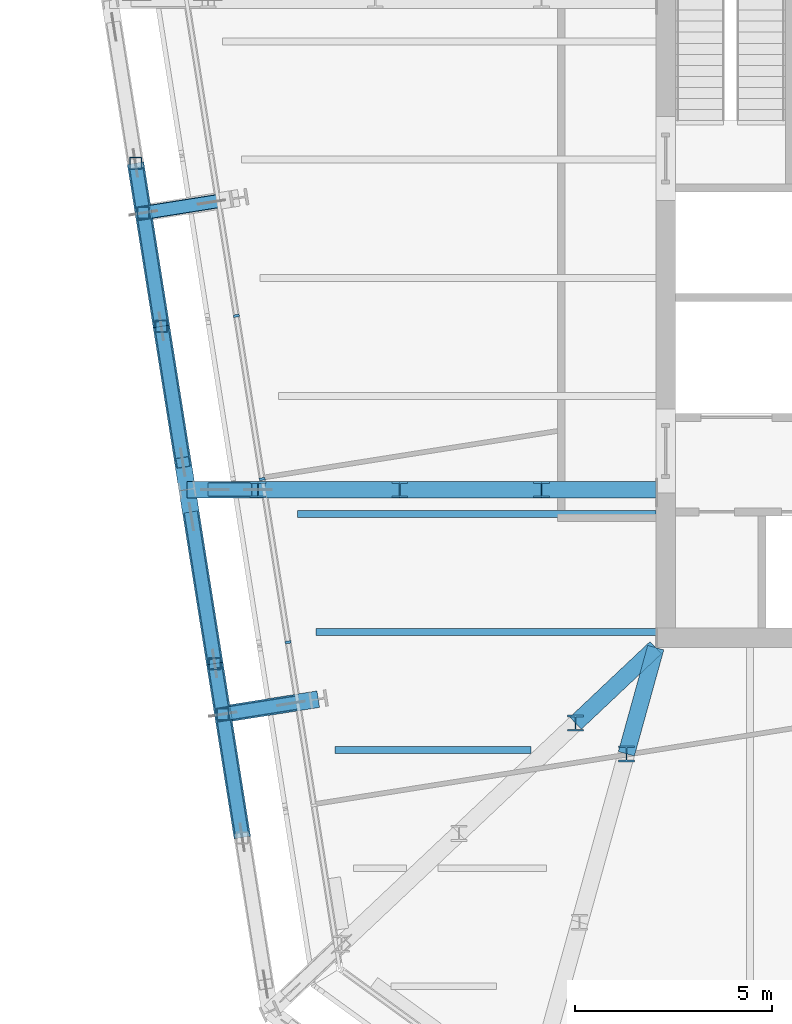
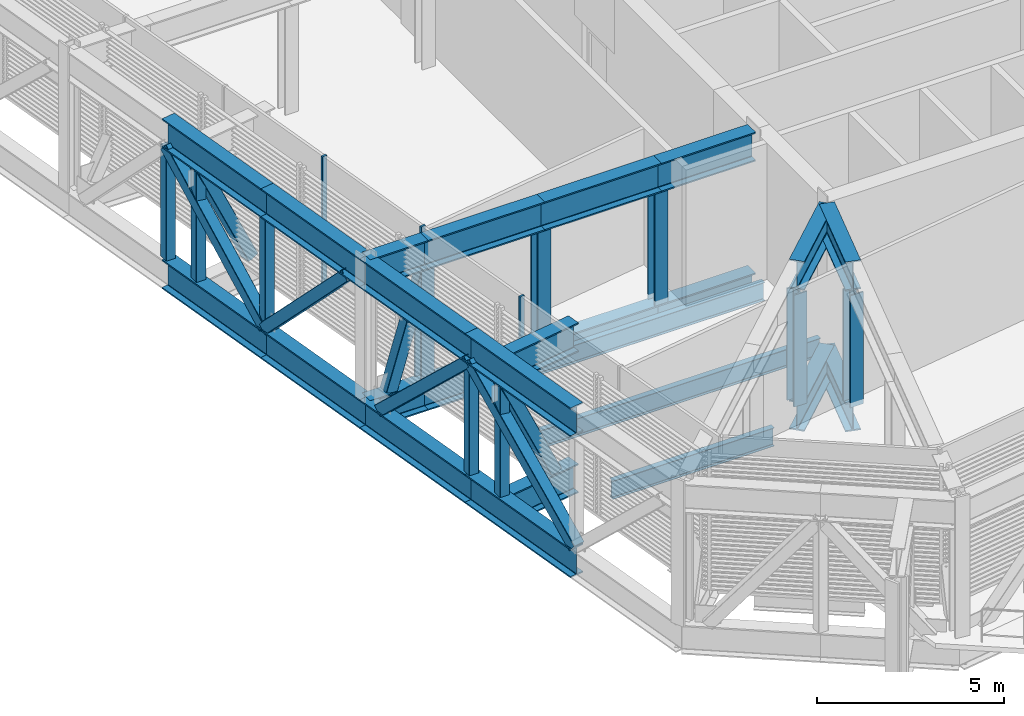
# One storey, part 5 of 35: 25 beams, 20 members, 1 element without a shape of its own.
"""IFC4 building model written with IfcOpenShell, lengths in metres."""

from ifc_helpers import new_model, si_unit, direction, frame, origin, origin_2d, place, context, subcontext, project, spatial, rectangle, hollow_rectangle, i_section, extrude, material, layer, layer_set, material_profile, profile_set, type_object, element, aggregate, save


model = new_model("IFC4")

# Units and contexts
model_context = context("Model", 3, precision=1e-05, world=origin(), true_north=direction((0.0, 1.0)))
body_context = subcontext(model_context, "Body", "Model", "MODEL_VIEW")
ifc_project = project(units=[si_unit("LENGTHUNIT", "METRE"), si_unit("AREAUNIT", "SQUARE_METRE"), si_unit("VOLUMEUNIT", "CUBIC_METRE"), si_unit("PLANEANGLEUNIT", "RADIAN"), si_unit("MASSUNIT", "GRAM", prefix="KILO")], contexts=[model_context])

# Site, building, storey
site_placement = place(None, origin())
site = spatial("IfcSite", under=ifc_project, at=site_placement, CompositionType="ELEMENT")
building_placement = place(site_placement, origin())
building = spatial("IfcBuilding", under=site, at=building_placement, Name="Millrace Tower", CompositionType="ELEMENT")
storey_placement = place(building_placement, frame((0.0, 0.0, 200.10009765625)))
storey = spatial("IfcBuildingStorey", under=building, at=storey_placement, Name="L45", CompositionType="ELEMENT", Elevation=200.10009765625)

# Curtain wall, members
ifc_material_1 = material(Name="Aluminium and glass", Category="aluminium")
ifc_layer = layer(ifc_material_1, 0.14990234375)
ifc_layer_set = layer_set([ifc_layer], Name="Aluminium and glass")
curtain_wall_type = type_object("IfcCurtainWallType", Name="CW-5 truss and plant storey louvred infill", PredefinedType="NOTDEFINED", material=ifc_layer_set)
curtain_wall_placement = place(storey_placement, origin())
curtain_wall = element("IfcCurtainWall", 1, at=curtain_wall_placement, inside=storey, type_object=curtain_wall_type, Name="Curtain wall D-F08 L45", PredefinedType="NOTDEFINED")
ifc_material_2 = material(Name="Aluminium", Category="aluminium")
ifc_material_profile_1 = material_profile(ifc_material_2, rectangle(XDim=0.06494140625, YDim=0.14990234375, at=origin_2d()))
ifc_profile_set_1 = profile_set([ifc_material_profile_1], Name="Aluminium")
member_type_1 = type_object("IfcMemberType", Name="CW-5 truss and plant storey louvred infill mullion", PredefinedType="MULLION", material=ifc_profile_set_1)
member_1_placement = place(storey_placement, frame((-25.057373046875, -0.966064453125, 0.139892578125), z_axis=(0.0, 0.0, 1.0), x_axis=(0.156434471884, -0.987688339511, 0.0)))
member_1 = element("IfcMember", 2, at=member_1_placement, type_object=member_type_1, Name="CW5 mullion D-F08.6", PredefinedType="MULLION", context=body_context, shape_type="SweptSolid", body=[
    extrude(rectangle(XDim=0.06494140625, YDim=0.14990234375, at=origin_2d()), origin(), (0.0, 0.0, 1.0), 4.4599609375),
])
member_2_placement = place(storey_placement, frame((-24.400390625, -5.1142578125, 0.139892578125), z_axis=(0.0, 0.0, 1.0), x_axis=(0.156434471884, -0.987688339511, 0.0)))
member_2 = element("IfcMember", 3, at=member_2_placement, type_object=member_type_1, Name="CW5 mullion D-F08.7", PredefinedType="MULLION", context=body_context, shape_type="SweptSolid", body=[
    extrude(rectangle(XDim=0.06494140625, YDim=0.14990234375, at=origin_2d()), origin(), (0.0, 0.0, 1.0), 4.4599609375),
])
member_3_placement = place(storey_placement, frame((-23.7431640625, -9.262451171875, 0.139892578125), z_axis=(0.0, 0.0, 1.0), x_axis=(0.156434471884, -0.987688339511, 0.0)))
member_3 = element("IfcMember", 4, at=member_3_placement, type_object=member_type_1, Name="CW5 mullion D-F08.8", PredefinedType="MULLION", context=body_context, shape_type="SweptSolid", body=[
    extrude(rectangle(XDim=0.06494140625, YDim=0.14990234375, at=origin_2d()), origin(), (0.0, 0.0, 1.0), 4.4599609375),
])
aggregate(curtain_wall, [member_1, member_2, member_3])

# Beams
ifc_material_3 = material(Name="Steel ASTM A992 Grade 50", Category="steel")
ifc_material_profile_2 = material_profile(ifc_material_3, i_section(OverallWidth=0.177978515625, OverallDepth=0.599365234375, WebThickness=0.010009765625, FlangeThickness=0.012939453125, FilletRadius=0.012939453125, at=origin_2d()))
ifc_profile_set_2 = profile_set([ifc_material_profile_2], Name="Steel ASTM A992 Grade 50")
beam_type_1 = type_object("IfcBeamType", Name="Floor beam W24x55", PredefinedType="JOIST", material=ifc_profile_set_2)
beam_1_placement = place(storey_placement, frame((-23.507080078125, -6.0, -0.459716796875), z_axis=(1.0, 0.0, 0.0), x_axis=(0.0, 1.0, 0.0)))
element("IfcBeam", 5, at=beam_1_placement, inside=storey, type_object=beam_type_1, Name="BM-D-L45-S1-S009", PredefinedType="JOIST", context=body_context, shape_type="SweptSolid", body=[
    extrude(i_section(OverallWidth=0.177978515625, OverallDepth=0.599365234375, WebThickness=0.010009765625, FlangeThickness=0.012939453125, FilletRadius=0.012939453125, at=origin_2d()), origin(), (0.0, 0.0, 1.0), 9.107177734375),
])
beam_2_placement = place(storey_placement, frame((-23.03173828125, -9.0, -0.459716796875), z_axis=(1.0, 0.0, 0.0), x_axis=(0.0, 1.0, 0.0)))
element("IfcBeam", 6, at=beam_2_placement, inside=storey, type_object=beam_type_1, Name="BM-D-L45-S1-S006", PredefinedType="JOIST", context=body_context, shape_type="SweptSolid", body=[
    extrude(i_section(OverallWidth=0.177978515625, OverallDepth=0.599365234375, WebThickness=0.010009765625, FlangeThickness=0.012939453125, FilletRadius=0.012939453125, at=origin_2d()), origin(), (0.0, 0.0, 1.0), 8.6318359375),
])
beam_3_placement = place(storey_placement, frame((-22.556640625, -12.0, -0.459716796875), z_axis=(1.0, 0.0, 0.0), x_axis=(0.0, 1.0, 0.0)))
element("IfcBeam", 7, at=beam_3_placement, inside=storey, type_object=beam_type_1, Name="BM-D-L45-S1-S004", PredefinedType="JOIST", context=body_context, shape_type="SweptSolid", body=[
    extrude(i_section(OverallWidth=0.177978515625, OverallDepth=0.599365234375, WebThickness=0.010009765625, FlangeThickness=0.012939453125, FilletRadius=0.012939453125, at=origin_2d()), origin(), (0.0, 0.0, 1.0), 4.992431640625),
])

# Members
ifc_material_4 = material(Name="Steel ASTM A992 Grade 50", Category="steel")
ifc_material_profile_3 = material_profile(ifc_material_4, i_section(OverallWidth=0.40380859375, OverallDepth=0.406494140625, WebThickness=0.027099609375, FlangeThickness=0.043701171875, FilletRadius=0.01513671875, at=origin_2d()))
ifc_profile_set_3 = profile_set([ifc_material_profile_3], Name="Steel ASTM A992 Grade 50")
member_type_2 = type_object("IfcMemberType", Name="Transfer truss Vierendeel moment post W14x233", PredefinedType="POST", material=ifc_profile_set_3)
for number, where, z_axis, x_axis, name in (
    (8, (-16.437255859375, -11.321044921875, -0.16015625), (0.0, 0.0, 1.0), (1.0, 0.0, 0.0), "TRS-L45-C01-V03"),
    (9, (-15.1474609375, -12.098388671875, -0.16015625), (0.0, 0.0, 1.0), (1.0, 0.0, 0.0), "TRS-L45-C02-V03"),
    (10, (-24.506591796875, -5.38330078125, -0.16015625), (0.0, 0.0, 1.0), (1.0, 0.0, 0.0), "TRS-L45-C16-V01"),
    (11, (-20.90673828125, -5.38330078125, -0.16015625), (0.0, 0.0, 1.0), (1.0, 0.0, 0.0), "TRS-L45-C16-V02"),
    (12, (-17.300048828125, -5.38330078125, -0.16015625), (0.0, 0.0, 1.0), (1.0, 0.0, 0.0), "TRS-L45-C16-V03"),
):
    element("IfcMember", number, at=place(storey_placement, frame(where, z_axis=z_axis, x_axis=x_axis)), inside=storey, type_object=member_type_2, Name=name, PredefinedType="POST", context=body_context, shape_type="SweptSolid", body=[
        extrude(i_section(OverallWidth=0.40380859375, OverallDepth=0.406494140625, WebThickness=0.027099609375, FlangeThickness=0.043701171875, FilletRadius=0.01513671875, at=origin_2d()), origin(), (0.0, 0.0, 1.0), 3.652587890625),
    ])

# Beams
ifc_material_5 = material(Name="Steel ASTM A992 Grade 50", Category="steel")
ifc_material_profile_4 = material_profile(ifc_material_5, i_section(OverallWidth=0.424072265625, OverallDepth=0.947509765625, WebThickness=0.02392578125, FlangeThickness=0.042724609375, FilletRadius=0.024169921875, at=origin_2d()))
ifc_profile_set_4 = profile_set([ifc_material_profile_4], Name="Steel ASTM A992 Grade 50")
beam_type_2 = type_object("IfcBeamType", Name="Transfer truss chord W36x302", PredefinedType="BEAM", material=ifc_profile_set_4)
for number, where, z_axis, x_axis, name in (
    (13, (-27.62060546875, 2.913330078125, -0.6337890625), (0.156419245009, -0.987690751091, 0.0), (0.987690751091, 0.156419245009, 0.0), "TRS-L45-R15-B02"),
    (14, (-27.62060546875, 2.913330078125, 3.96630859375), (0.156419245009, -0.987690751091, 0.0), (0.987690751091, 0.156419245009, 0.0), "TRS-L45-R15-T02"),
):
    element("IfcBeam", number, at=place(storey_placement, frame(where, z_axis=z_axis, x_axis=x_axis)), inside=storey, type_object=beam_type_2, Name=name, PredefinedType="BEAM", context=body_context, shape_type="SweptSolid", body=[
        extrude(i_section(OverallWidth=0.424072265625, OverallDepth=0.947509765625, WebThickness=0.02392578125, FlangeThickness=0.042724609375, FilletRadius=0.024169921875, at=origin_2d()), origin(), (0.0, 0.0, 1.0), 4.2001953125),
    ])
for number, where, z_axis, x_axis, name in (
    (15, (-26.963623046875, -1.235107421875, -0.6337890625), (0.156428225752, -0.987689328781, 0.0), (0.987689328781, 0.156428225752, 0.0), "TRS-L45-R15-B03"),
    (16, (-26.963623046875, -1.235107421875, 3.96630859375), (0.156428225752, -0.987689328781, 0.0), (0.987689328781, 0.156428225752, 0.0), "TRS-L45-R15-T03"),
):
    element("IfcBeam", number, at=place(storey_placement, frame(where, z_axis=z_axis, x_axis=x_axis)), inside=storey, type_object=beam_type_2, Name=name, PredefinedType="BEAM", context=body_context, shape_type="SweptSolid", body=[
        extrude(i_section(OverallWidth=0.424072265625, OverallDepth=0.947509765625, WebThickness=0.02392578125, FlangeThickness=0.042724609375, FilletRadius=0.024169921875, at=origin_2d()), origin(), (0.0, 0.0, 1.0), 4.199951171875),
    ])
for number, where, z_axis, x_axis, name in (
    (17, (-26.306640625, -5.38330078125, -0.6337890625), (0.156424684061, -0.9876898897, 0.0), (0.9876898897, 0.156424684061, 0.0), "TRS-L45-R16-B01"),
    (18, (-26.306640625, -5.38330078125, 3.96630859375), (0.156424684061, -0.9876898897, 0.0), (0.9876898897, 0.156424684061, 0.0), "TRS-L45-R16-T01"),
):
    element("IfcBeam", number, at=place(storey_placement, frame(where, z_axis=z_axis, x_axis=x_axis)), inside=storey, type_object=beam_type_2, Name=name, PredefinedType="BEAM", context=body_context, shape_type="SweptSolid", body=[
        extrude(i_section(OverallWidth=0.424072265625, OverallDepth=0.947509765625, WebThickness=0.02392578125, FlangeThickness=0.042724609375, FilletRadius=0.024169921875, at=origin_2d()), origin(), (0.0, 0.0, 1.0), 4.476318359375),
    ])
for number, where, z_axis, x_axis, name in (
    (19, (-25.6064453125, -9.804443359375, -0.6337890625), (0.156433111103, -0.987688555037, 0.0), (0.987688555037, 0.156433111103, 0.0), "TRS-L45-R16-B02"),
    (20, (-25.6064453125, -9.804443359375, 3.96630859375), (0.156433111103, -0.987688555037, 0.0), (0.987688555037, 0.156433111103, 0.0), "TRS-L45-R16-T02"),
):
    element("IfcBeam", number, at=place(storey_placement, frame(where, z_axis=z_axis, x_axis=x_axis)), inside=storey, type_object=beam_type_2, Name=name, PredefinedType="BEAM", context=body_context, shape_type="SweptSolid", body=[
        extrude(i_section(OverallWidth=0.424072265625, OverallDepth=0.947509765625, WebThickness=0.02392578125, FlangeThickness=0.042724609375, FilletRadius=0.024169921875, at=origin_2d()), origin(), (0.0, 0.0, 1.0), 4.47607421875),
    ])
for number, where, z_axis, x_axis, name in (
    (21, (-16.437255859375, -11.321044921875, -0.6337890625), (0.727552105044, 0.686052428351, 0.0), (-0.686052428351, 0.727552105044, 0.0), "TRS-L45-C01-B04"),
    (22, (-16.437255859375, -11.321044921875, 3.96630859375), (0.727552105044, 0.686052428351, 0.0), (-0.686052428351, 0.727552105044, 0.0), "TRS-L45-C01-T04"),
):
    element("IfcBeam", number, at=place(storey_placement, frame(where, z_axis=z_axis, x_axis=x_axis)), inside=storey, type_object=beam_type_2, Name=name, PredefinedType="BEAM", context=body_context, shape_type="SweptSolid", body=[
        extrude(i_section(OverallWidth=0.424072265625, OverallDepth=0.947509765625, WebThickness=0.02392578125, FlangeThickness=0.042724609375, FilletRadius=0.024169921875, at=origin_2d()), origin(), (0.0, 0.0, 1.0), 2.80029296875),
    ])
for number, where, z_axis, x_axis, name in (
    (23, (-15.1474609375, -12.098388671875, -0.6337890625), (0.266973765217, 0.963703797173, 0.0), (-0.963703797173, 0.266973765217, 0.0), "TRS-L45-C02-B04"),
    (24, (-15.1474609375, -12.098388671875, 3.96630859375), (0.266973765217, 0.963703797173, 0.0), (-0.963703797173, 0.266973765217, 0.0), "TRS-L45-C02-T04"),
):
    element("IfcBeam", number, at=place(storey_placement, frame(where, z_axis=z_axis, x_axis=x_axis)), inside=storey, type_object=beam_type_2, Name=name, PredefinedType="BEAM", context=body_context, shape_type="SweptSolid", body=[
        extrude(i_section(OverallWidth=0.424072265625, OverallDepth=0.947509765625, WebThickness=0.02392578125, FlangeThickness=0.042724609375, FilletRadius=0.024169921875, at=origin_2d()), origin(), (0.0, 0.0, 1.0), 2.800048828125),
    ])
for number, where, z_axis, x_axis, name in (
    (25, (-26.306640625, -5.38330078125, -0.6337890625), (1.0, 0.0, 0.0), (0.0, 1.0, 0.0), "TRS-L45-C16-B01"),
    (26, (-26.306640625, -5.38330078125, 3.96630859375), (1.0, 0.0, 0.0), (0.0, 1.0, 0.0), "TRS-L45-C16-T01"),
):
    element("IfcBeam", number, at=place(storey_placement, frame(where, z_axis=z_axis, x_axis=x_axis)), inside=storey, type_object=beam_type_2, Name=name, PredefinedType="BEAM", context=body_context, shape_type="SweptSolid", body=[
        extrude(i_section(OverallWidth=0.424072265625, OverallDepth=0.947509765625, WebThickness=0.02392578125, FlangeThickness=0.042724609375, FilletRadius=0.024169921875, at=origin_2d()), origin(), (0.0, 0.0, 1.0), 1.800048828125),
    ])
for number, where, z_axis, x_axis, name in (
    (27, (-24.506591796875, -5.38330078125, -0.6337890625), (1.0, 0.0, 0.0), (0.0, 1.0, 0.0), "TRS-L45-C16-B02"),
    (28, (-24.506591796875, -5.38330078125, 3.96630859375), (1.0, 0.0, 0.0), (0.0, 1.0, 0.0), "TRS-L45-C16-T02"),
):
    element("IfcBeam", number, at=place(storey_placement, frame(where, z_axis=z_axis, x_axis=x_axis)), inside=storey, type_object=beam_type_2, Name=name, PredefinedType="BEAM", context=body_context, shape_type="SweptSolid", body=[
        extrude(i_section(OverallWidth=0.424072265625, OverallDepth=0.947509765625, WebThickness=0.02392578125, FlangeThickness=0.042724609375, FilletRadius=0.024169921875, at=origin_2d()), origin(), (0.0, 0.0, 1.0), 3.599853515625),
    ])
for number, where, z_axis, x_axis, name in (
    (29, (-20.90673828125, -5.38330078125, -0.6337890625), (1.0, 0.0, 0.0), (0.0, 1.0, 0.0), "TRS-L45-C16-B03"),
    (30, (-20.90673828125, -5.38330078125, 3.96630859375), (1.0, 0.0, 0.0), (0.0, 1.0, 0.0), "TRS-L45-C16-T03"),
):
    element("IfcBeam", number, at=place(storey_placement, frame(where, z_axis=z_axis, x_axis=x_axis)), inside=storey, type_object=beam_type_2, Name=name, PredefinedType="BEAM", context=body_context, shape_type="SweptSolid", body=[
        extrude(i_section(OverallWidth=0.424072265625, OverallDepth=0.947509765625, WebThickness=0.02392578125, FlangeThickness=0.042724609375, FilletRadius=0.024169921875, at=origin_2d()), origin(), (0.0, 0.0, 1.0), 3.606689453125),
    ])
for number, where, z_axis, x_axis, name in (
    (31, (-17.300048828125, -5.38330078125, -0.6337890625), (1.0, 0.0, 0.0), (0.0, 1.0, 0.0), "TRS-L45-C16-B04"),
    (32, (-17.300048828125, -5.38330078125, 3.96630859375), (1.0, 0.0, 0.0), (0.0, 1.0, 0.0), "TRS-L45-C16-T04"),
):
    element("IfcBeam", number, at=place(storey_placement, frame(where, z_axis=z_axis, x_axis=x_axis)), inside=storey, type_object=beam_type_2, Name=name, PredefinedType="BEAM", context=body_context, shape_type="SweptSolid", body=[
        extrude(i_section(OverallWidth=0.424072265625, OverallDepth=0.947509765625, WebThickness=0.02392578125, FlangeThickness=0.042724609375, FilletRadius=0.024169921875, at=origin_2d()), origin(), (0.0, 0.0, 1.0), 2.900146484375),
    ])
for number, where, z_axis, x_axis, name in (
    (33, (-22.97705078125, -10.709716796875, -0.6337890625), (-0.987694037204, -0.156398493825, 0.0), (0.156398493825, -0.987694037204, 0.0), "TRS-L45-B-C-X16-B01"),
    (34, (-22.97705078125, -10.709716796875, 3.96630859375), (-0.987694037204, -0.156398493825, 0.0), (0.156398493825, -0.987694037204, 0.0), "TRS-L45-B-C-X16-T01"),
):
    element("IfcBeam", number, at=place(storey_placement, frame(where, z_axis=z_axis, x_axis=x_axis)), inside=storey, type_object=beam_type_2, Name=name, PredefinedType="BEAM", context=body_context, shape_type="SweptSolid", body=[
        extrude(i_section(OverallWidth=0.424072265625, OverallDepth=0.947509765625, WebThickness=0.02392578125, FlangeThickness=0.042724609375, FilletRadius=0.024169921875, at=origin_2d()), origin(), (0.0, 0.0, 1.0), 2.2431640625),
    ])

# Members
ifc_material_6 = material(Name="Steel ASTM A500 Grade C", Category="steel")
ifc_material_profile_5 = material_profile(ifc_material_6, hollow_rectangle(XDim=0.355712890625, YDim=0.355712890625, WallThickness=0.015869140625, InnerFilletRadius=0.008056640625, OuterFilletRadius=0.02392578125, at=origin_2d()))
ifc_profile_set_5 = profile_set([ifc_material_profile_5], Name="Steel ASTM A500 Grade C")
member_type_3 = type_object("IfcMemberType", Name="Transfer truss diagonal HSS14x14x5/8", PredefinedType="BRACE", material=ifc_profile_set_5)
member_4_placement = place(storey_placement, frame((-26.963623046875, -1.235107421875, -0.16015625), z_axis=(-0.118030735894, 0.745291068123, 0.656208784733), x_axis=(-0.987690751091, -0.156419245009, 0.0)))
element("IfcMember", 35, at=member_4_placement, inside=storey, type_object=member_type_3, Name="TRS-L45-R15-D02", PredefinedType="BRACE", context=body_context, shape_type="SweptSolid", body=[
    extrude(hollow_rectangle(XDim=0.355712890625, YDim=0.355712890625, WallThickness=0.015869140625, InnerFilletRadius=0.008056640625, OuterFilletRadius=0.02392578125, at=origin_2d()), origin(), (0.0, 0.0, 1.0), 5.566162109375),
])
member_5_placement = place(storey_placement, frame((-26.963623046875, -1.235107421875, -0.16015625), z_axis=(0.108202495228, -0.683335918793, 0.72204171771), x_axis=(0.987694432607, 0.156395996744, 0.0)))
element("IfcMember", 36, at=member_5_placement, inside=storey, type_object=member_type_3, Name="TRS-L45-R15-D03", PredefinedType="BRACE", context=body_context, shape_type="SweptSolid", body=[
    extrude(hollow_rectangle(XDim=0.355712890625, YDim=0.355712890625, WallThickness=0.015869140625, InnerFilletRadius=0.008056640625, OuterFilletRadius=0.02392578125, at=origin_2d()), origin(), (0.0, 0.0, 1.0), 5.05859375),
])
member_6_placement = place(storey_placement, frame((-26.197265625, -6.07470703125, -0.16015625), z_axis=(0.112457872298, -0.70992517153, 0.695240589858), x_axis=(0.987684735163, 0.156457227145, 0.0)))
element("IfcMember", 37, at=member_6_placement, inside=storey, type_object=member_type_3, Name="TRS-L45-R16-D01", PredefinedType="BRACE", context=body_context, shape_type="SweptSolid", body=[
    extrude(hollow_rectangle(XDim=0.355712890625, YDim=0.355712890625, WallThickness=0.015869140625, InnerFilletRadius=0.008056640625, OuterFilletRadius=0.02392578125, at=origin_2d()), origin(), (0.0, 0.0, 1.0), 5.253662109375),
])
member_7_placement = place(storey_placement, frame((-24.90625, -14.225341796875, -0.16015625), z_axis=(-0.121199815738, 0.765232309408, 0.632242135026), x_axis=(-0.987688555037, -0.156433111103, 0.0)))
element("IfcMember", 38, at=member_7_placement, inside=storey, type_object=member_type_3, Name="TRS-L45-R16-D02", PredefinedType="BRACE", context=body_context, shape_type="SweptSolid", body=[
    extrude(hollow_rectangle(XDim=0.355712890625, YDim=0.355712890625, WallThickness=0.015869140625, InnerFilletRadius=0.008056640625, OuterFilletRadius=0.02392578125, at=origin_2d()), origin(), (0.0, 0.0, 1.0), 5.777099609375),
])
member_8_placement = place(storey_placement, frame((-25.606689453125, -5.38330078125, -0.16015625), z_axis=(0.28838699326, 0.0, 0.957513938342), x_axis=(0.0, 1.0, 0.0)))
element("IfcMember", 39, at=member_8_placement, inside=storey, type_object=member_type_3, Name="TRS-L45-C16-D01", PredefinedType="BRACE", context=body_context, shape_type="SweptSolid", body=[
    extrude(hollow_rectangle(XDim=0.355712890625, YDim=0.355712890625, WallThickness=0.015869140625, InnerFilletRadius=0.008056640625, OuterFilletRadius=0.02392578125, at=origin_2d()), origin(), (0.0, 0.0, 1.0), 3.814697265625),
])
for number, where, z_axis, x_axis, name in (
    (40, (-25.6865234375, 1.922119140625, -0.16015625), (-0.427801089373, -0.067775837987, 0.901328277442), (0.156476811261, -0.987681632682, 0.0), "TRS-L45-B-C-X15-D01"),
    (41, (-23.66845703125, -10.819091796875, -0.16015625), (-0.427801089373, -0.067775837987, 0.901328277442), (0.156476811261, -0.987681632682, 0.0), "TRS-L45-B-C-X16-D01"),
):
    element("IfcMember", number, at=place(storey_placement, frame(where, z_axis=z_axis, x_axis=x_axis)), inside=storey, type_object=member_type_3, Name=name, PredefinedType="BRACE", context=body_context, shape_type="SweptSolid", body=[
        extrude(hollow_rectangle(XDim=0.355712890625, YDim=0.355712890625, WallThickness=0.015869140625, InnerFilletRadius=0.008056640625, OuterFilletRadius=0.02392578125, at=origin_2d()), origin(), (0.0, 0.0, 1.0), 4.052490234375),
    ])
ifc_material_7 = material(Name="Steel ASTM A500 Grade C", Category="steel")
ifc_material_profile_6 = material_profile(ifc_material_7, hollow_rectangle(XDim=0.3046875, YDim=0.3046875, WallThickness=0.0126953125, InnerFilletRadius=0.00634765625, OuterFilletRadius=0.01904296875, at=origin_2d()))
ifc_profile_set_6 = profile_set([ifc_material_profile_6], Name="Steel ASTM A500 Grade C")
member_type_4 = type_object("IfcMemberType", Name="Transfer truss post HSS12x12x1/2", PredefinedType="POST", material=ifc_profile_set_6)
for number, where, z_axis, x_axis, name in (
    (42, (-27.62060546875, 2.913330078125, -0.16015625), (0.0, 0.0, 1.0), (1.0, 0.0, 0.0), "TRS-L45-R15-V01"),
    (43, (-26.963623046875, -1.235107421875, -0.16015625), (0.0, 0.0, 1.0), (1.0, 0.0, 0.0), "TRS-L45-R15-V02"),
    (44, (-25.6064453125, -9.804443359375, -0.16015625), (0.0, 0.0, 1.0), (1.0, 0.0, 0.0), "TRS-L45-R16-V01"),
    (45, (-27.420166015625, 1.6474609375, -0.16015625), (0.0, 0.0, 1.0), (1.0, 0.0, 0.0), "TRS-L45-B-C-X15-V01"),
    (46, (-25.402099609375, -11.09375, -0.16015625), (0.0, 0.0, 1.0), (1.0, 0.0, 0.0), "TRS-L45-B-C-X16-V01"),
):
    element("IfcMember", number, at=place(storey_placement, frame(where, z_axis=z_axis, x_axis=x_axis)), inside=storey, type_object=member_type_4, Name=name, PredefinedType="POST", context=body_context, shape_type="SweptSolid", body=[
        extrude(hollow_rectangle(XDim=0.3046875, YDim=0.3046875, WallThickness=0.0126953125, InnerFilletRadius=0.00634765625, OuterFilletRadius=0.01904296875, at=origin_2d()), origin(), (0.0, 0.0, 1.0), 3.652587890625),
    ])

save(model, "model.ifc")
